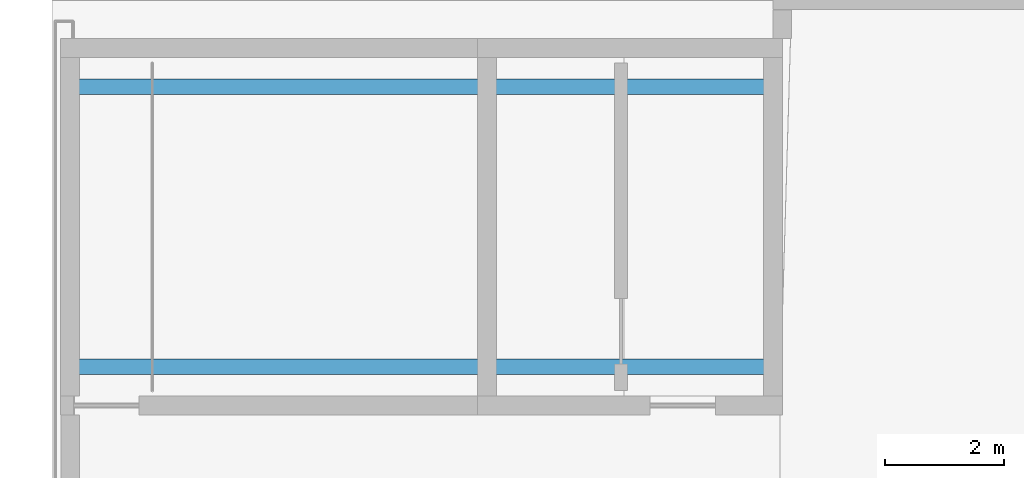
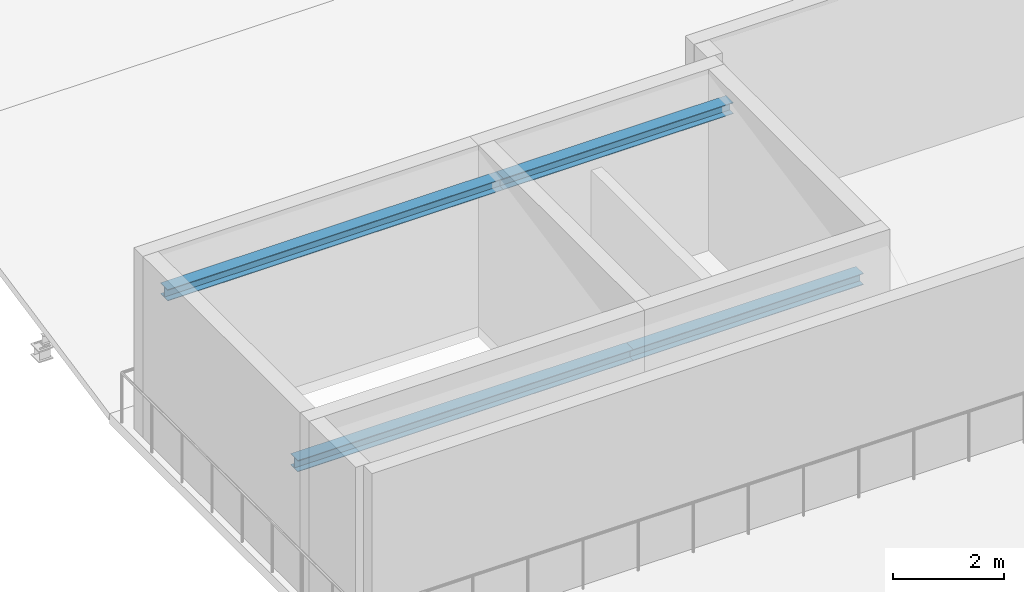
# One storey, part 18 of 114: 4 beams.
"""IFC4 building model written with IfcOpenShell, lengths in metres."""

from ifc_helpers import new_model, si_unit, direction, frame, origin, origin_2d, place, context, subcontext, project, spatial, i_section, extrude, material, material_profile, profile_set, type_object, element, save


model = new_model("IFC4")

# Units and contexts
model_context = context("Model", 3, precision=1e-05, world=origin(), true_north=direction((0.0, 1.0)))
body_context = subcontext(model_context, "Body", "Model", "MODEL_VIEW")
ifc_project = project(units=[si_unit("LENGTHUNIT", "METRE"), si_unit("AREAUNIT", "SQUARE_METRE"), si_unit("VOLUMEUNIT", "CUBIC_METRE"), si_unit("PLANEANGLEUNIT", "RADIAN"), si_unit("MASSUNIT", "GRAM", prefix="KILO")], contexts=[model_context])

# Site, building, storey
site_placement = place(None, origin())
site = spatial("IfcSite", under=ifc_project, at=site_placement, CompositionType="ELEMENT")
building_placement = place(site_placement, origin())
building = spatial("IfcBuilding", under=site, at=building_placement, Name="Montecoro Central Library", CompositionType="ELEMENT")
storey_placement = place(building_placement, frame((0.0, 0.0, 13.260009765625)))
storey = spatial("IfcBuildingStorey", under=building, at=storey_placement, Name="L03", CompositionType="ELEMENT", Elevation=13.260009765625)

# Beams
ifc_material = material(Name="Steel S355J2", Category="steel")
ifc_material_profile = material_profile(ifc_material, i_section(OverallWidth=0.260009765625, OverallDepth=0.25, WebThickness=0.007568359375, FlangeThickness=0.012451171875, at=origin_2d()), Name="HEA 260")
ifc_profile_set = profile_set([ifc_material_profile], Name="Steel S355J2")
beam_type = type_object("IfcBeamType", Name="BM-DR-HEA260", PredefinedType="BEAM", material=ifc_profile_set)
for number, where, z_axis, x_axis, name in (
    (1, (5.300048828125, 14.050048828125, 2.5400390625), (1.0, 0.0, 0.0), (0.0, 1.0, 0.0), "V3-L03-HH-PB1"),
    (2, (5.300048828125, 18.75, 3.4599609375), (1.0, 0.0, 0.0), (0.0, 1.0, 0.0), "V3-L03-HH-PB2"),
):
    element("IfcBeam", number, at=place(storey_placement, frame(where, z_axis=z_axis, x_axis=x_axis)), inside=storey, type_object=beam_type, Name=name, PredefinedType="BEAM", context=body_context, shape_type="SweptSolid", body=[
        extrude(i_section(OverallWidth=0.260009765625, OverallDepth=0.25, WebThickness=0.007568359375, FlangeThickness=0.012451171875, at=origin_2d()), origin(), (0.0, 0.0, 1.0), 7.0),
    ])
for number, where, z_axis, x_axis, name in (
    (3, (12.300048828125, 14.050048828125, 2.5400390625), (1.0, 0.0, 0.0), (0.0, 1.0, 0.0), "V3-L03-LHH-PB1"),
    (4, (12.300048828125, 18.75, 3.4599609375), (1.0, 0.0, 0.0), (0.0, 1.0, 0.0), "V3-L03-LHH-PB2"),
):
    element("IfcBeam", number, at=place(storey_placement, frame(where, z_axis=z_axis, x_axis=x_axis)), inside=storey, type_object=beam_type, Name=name, PredefinedType="BEAM", context=body_context, shape_type="SweptSolid", body=[
        extrude(i_section(OverallWidth=0.260009765625, OverallDepth=0.25, WebThickness=0.007568359375, FlangeThickness=0.012451171875, at=origin_2d()), origin(), (0.0, 0.0, 1.0), 4.800048828125),
    ])

save(model, "model.ifc")
